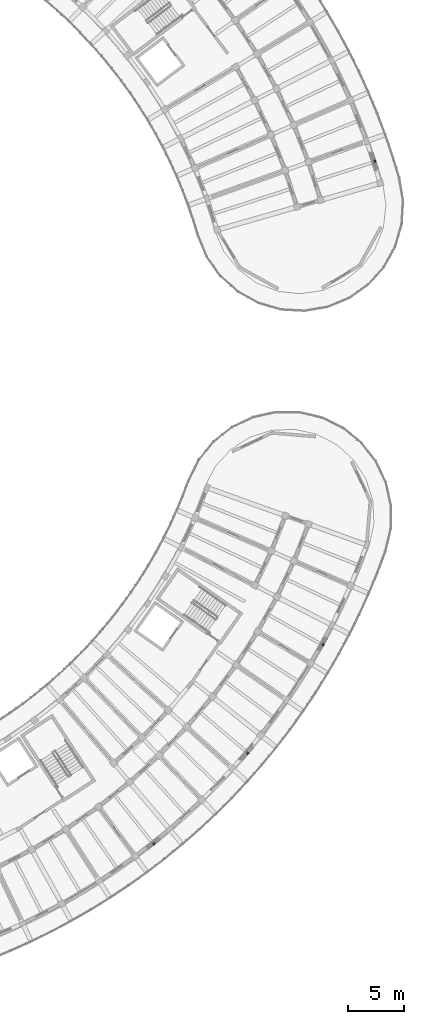
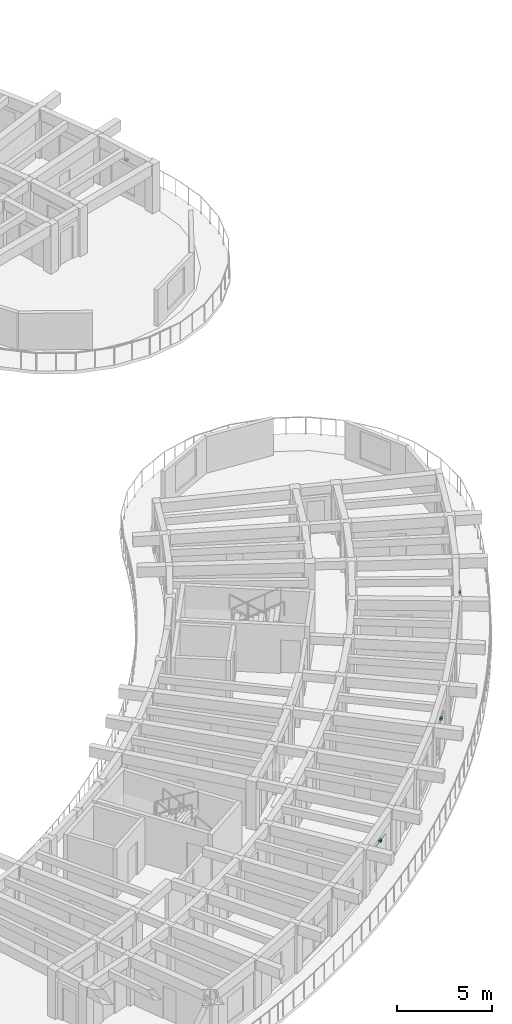
# One storey, part 59 of 78: 4 discrete accessories.
"""IFC4 building model written with IfcOpenShell, lengths in metres."""

from ifc_helpers import new_model, si_unit, direction, frame, origin, origin_2d, place, context, subcontext, project, spatial, rectangle, extrude, material, type_object, element, save


model = new_model("IFC4")

# Units and contexts
model_context = context("Model", 3, precision=1e-05, world=origin(), true_north=direction((0.0, 1.0)))
body_context = subcontext(model_context, "Body", "Model", "MODEL_VIEW")
ifc_project = project(units=[si_unit("LENGTHUNIT", "METRE"), si_unit("AREAUNIT", "SQUARE_METRE"), si_unit("VOLUMEUNIT", "CUBIC_METRE"), si_unit("PLANEANGLEUNIT", "RADIAN"), si_unit("MASSUNIT", "GRAM", prefix="KILO")], contexts=[model_context])

# Site, building, storey
site_placement = place(None, origin())
site = spatial("IfcSite", under=ifc_project, at=site_placement, CompositionType="ELEMENT")
building_placement = place(site_placement, origin())
building = spatial("IfcBuilding", under=site, at=building_placement, Name="Tanwirah Colonnade Gardens", CompositionType="ELEMENT")
storey_placement = place(building_placement, frame((0.0, 0.0, 22.280029296875)))
storey = spatial("IfcBuildingStorey", under=building, at=storey_placement, Name="L06", CompositionType="ELEMENT", Elevation=22.280029296875)

# Discrete accessories
ifc_material = material(Name="Steel S355", Category="steel")
discrete_accessory_type = type_object("IfcDiscreteAccessoryType", Name="BRK-SS1", PredefinedType="BRACKET", material=ifc_material)
for number, where, z_axis, x_axis, name in (
    (1, (177.788818359375, 78.57470703125, 2.14990234375), (0.0, 0.0, 1.0), (-0.307171739363, 0.951654098156, 0.0), "Solar screen support bracket B-L06-00"),
    (2, (158.090087890625, 17.734619140625, 2.14990234375), (0.0, 0.0, 1.0), (0.783964634348, 0.620805486519, 0.0), "Solar screen support bracket D-L06-06"),
    (3, (166.442626953125, 25.800537109375, 2.199951171875), (0.0, 0.0, 1.0), (0.647787018861, 0.761821487092, 0.0), "Solar screen support bracket D-L06-09"),
    (4, (173.1630859375, 35.488037109375, 2.059814453125), (0.0, 0.0, 1.0), (0.486717384336, 0.873559492985, 0.0), "Solar screen support bracket D-L06-12"),
):
    element("IfcDiscreteAccessory", number, at=place(storey_placement, frame(where, z_axis=z_axis, x_axis=x_axis)), inside=storey, type_object=discrete_accessory_type, Name=name, PredefinedType="BRACKET", context=body_context, shape_type="SweptSolid", body=[
        extrude(rectangle(XDim=0.219970703125, YDim=0.159912109375, at=origin_2d()), origin(), (0.0, 0.0, 1.0), 0.1201171875),
    ])

save(model, "model.ifc")
